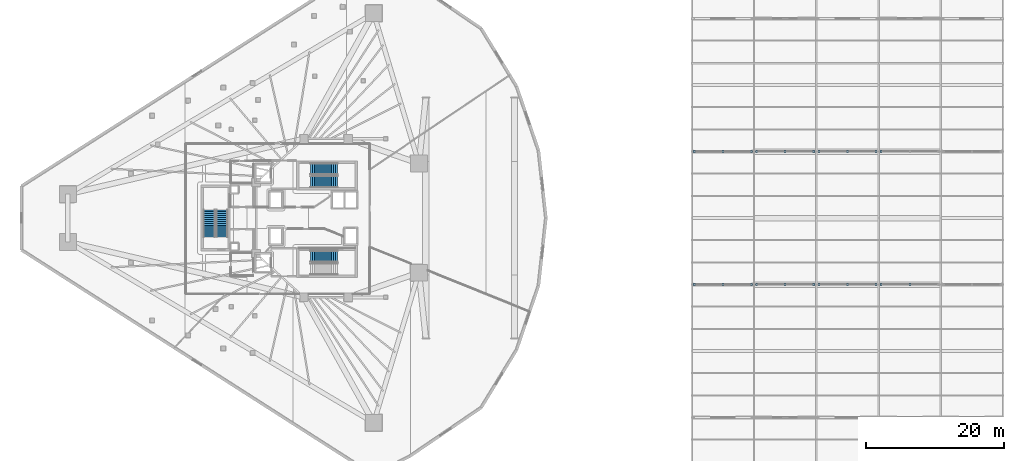
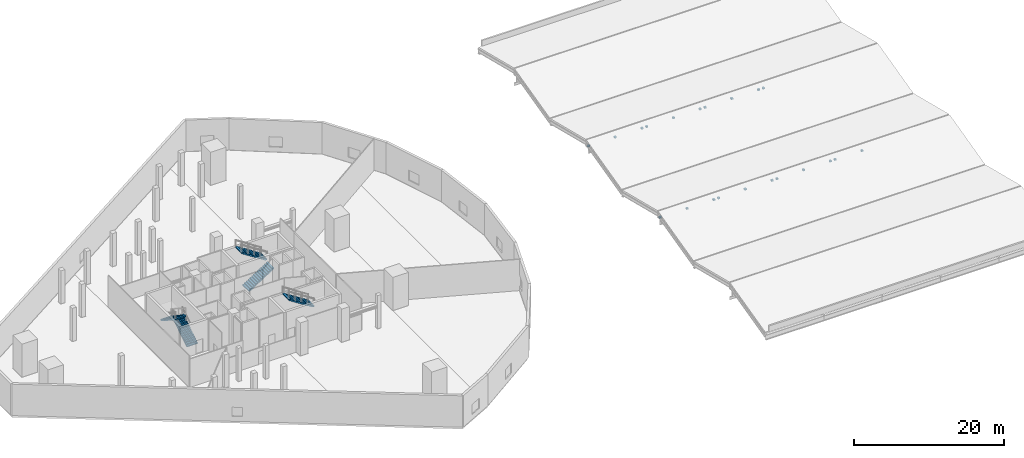
# One storey, part 28 of 36: 21 discrete accessories, 5 stair flights, 3 elements without a shape of their own.
"""IFC4 building model written with IfcOpenShell, lengths in metres."""

import ifcopenshell
import ifcopenshell.guid

model = None  # the IFC model being written
_history = None  # IfcOwnerHistory: only IFC2X3 demands one
_inside = {}  # id of a spatial element -> (the spatial element, [elements in it])
_under = {}  # id of a project, library or spatial element -> (it, [spatial elements below it])
_declared = {}  # id of a project -> (the project, [libraries it declares])
_typed = {}  # id of a type object -> (the type object, [elements of that type])
_made_of = {}  # id of a material, layer set ... -> (it, [elements and type objects made of it])


def new_model(schema):
    """Start an empty IFC model of exactly this schema.

    Asked for "IFC4X3", IfcOpenShell would pick the latest addendum, in which some entities
    have other attributes; the version numbers below select the first issue.
    IFC2X3 requires an IfcOwnerHistory on every rooted entity: one is made here for all.
    """
    global model, _history
    if schema == "IFC4X3":
        model = ifcopenshell.file(schema_version=(4, 3, 0, 0))
    else:
        model = ifcopenshell.file(schema=schema)
    _inside.clear()
    _under.clear()
    _declared.clear()
    _typed.clear()
    _made_of.clear()
    _history = None
    if model.schema == "IFC2X3":
        org = make("IfcOrganization", Name="unknown")
        user = make(
            "IfcPersonAndOrganization",
            ThePerson=make("IfcPerson", FamilyName="unknown"),
            TheOrganization=org,
        )
        app = make(
            "IfcApplication",
            ApplicationDeveloper=org,
            Version="unknown",
            ApplicationFullName="unknown",
            ApplicationIdentifier="unknown",
        )
        _history = make(
            "IfcOwnerHistory",
            OwningUser=user,
            OwningApplication=app,
            ChangeAction="ADDED",
            CreationDate=0,
        )
    return model


def make(cls, **values):
    """One entity of the class cls with the attributes given. An attribute that is None is left unset."""
    return model.create_entity(
        cls, **{name: value for name, value in values.items() if value is not None}
    )


def rooted(cls, **values):
    """An entity with a GlobalId (a new one), such as an element, a storey or a relation."""
    return make(cls, GlobalId=ifcopenshell.guid.new(), OwnerHistory=_history, **values)


def si_unit(unit_type, name, prefix=None):
    """IfcSIUnit, for example si_unit("LENGTHUNIT", "METRE", prefix="MILLI")."""
    return make("IfcSIUnit", UnitType=unit_type, Prefix=prefix, Name=name)


def assignment(units):
    """IfcUnitAssignment: the units of a project."""
    return None if units is None else make("IfcUnitAssignment", Units=units)


def point(xyz):
    """IfcCartesianPoint."""
    return None if xyz is None else make("IfcCartesianPoint", Coordinates=xyz)


def direction(xyz):
    """IfcDirection."""
    return None if xyz is None else make("IfcDirection", DirectionRatios=xyz)


def frame(location, z_axis=None, x_axis=None):
    """IfcAxis2Placement3D, a coordinate frame: its origin and axes. An axis left out is left unset."""
    return make(
        "IfcAxis2Placement3D",
        Location=point(location),
        Axis=direction(z_axis),
        RefDirection=direction(x_axis),
    )


def frame_2d(location, x_axis=None):
    """IfcAxis2Placement2D, a coordinate frame in the plane: its origin and x axis."""
    return make(
        "IfcAxis2Placement2D", Location=point(location), RefDirection=direction(x_axis)
    )


def origin():
    """The frame at (0, 0, 0) with its axes left unset."""
    return frame((0.0, 0.0, 0.0))


def origin_2d():
    """The frame at (0, 0) in the plane with its x axis left unset."""
    return frame_2d((0.0, 0.0))


def place(relative_to, where):
    """IfcLocalPlacement: puts the frame where relative to a parent placement (None: the world)."""
    return make(
        "IfcLocalPlacement", PlacementRelTo=relative_to, RelativePlacement=where
    )


def context(
    kind, dimensions, precision=None, world=None, true_north=None, identifier=None
):
    """IfcGeometricRepresentationContext, for example the 3D "Model" context."""
    return make(
        "IfcGeometricRepresentationContext",
        ContextIdentifier=identifier,
        ContextType=kind,
        CoordinateSpaceDimension=dimensions,
        Precision=precision,
        WorldCoordinateSystem=world,
        TrueNorth=true_north,
    )


def subcontext(parent, identifier, kind, view, scale=None):
    """IfcGeometricRepresentationSubContext, for example "Body" below "Model"."""
    return make(
        "IfcGeometricRepresentationSubContext",
        ContextIdentifier=identifier,
        ContextType=kind,
        ParentContext=parent,
        TargetScale=scale,
        TargetView=view,
    )


def project(units=None, contexts=None):
    """IfcProject with its units and contexts."""
    return rooted(
        "IfcProject",
        Name="project",
        RepresentationContexts=contexts,
        UnitsInContext=assignment(units),
    )


def spatial(cls, under=None, at=None, **own):
    """A site, building, storey or space (cls), placed at a placement, below another one or the project."""
    s = rooted(cls, ObjectPlacement=at, **own)
    if under is not None:
        _under.setdefault(under.id(), (under, []))[1].append(s)
    return s


def polyline(points):
    """IfcPolyline through the points."""
    return make("IfcPolyline", Points=[point(p) for p in points])


def profile(cls, at=None, kind="AREA", **sizes):
    """A parametric profile (cls). Its sizes go by their IFC names, for example OverallWidth=200.0."""
    return make(cls, ProfileType=kind, Position=at, **sizes)


def rectangle(**sizes):
    """IfcRectangleProfileDef."""
    return profile("IfcRectangleProfileDef", **sizes)


def outline(outer, holes=None, kind="AREA"):
    """IfcArbitraryClosedProfileDef: a profile drawn as a closed curve; with holes, ...WithVoids."""
    if holes is None:
        return make("IfcArbitraryClosedProfileDef", ProfileType=kind, OuterCurve=outer)
    return make(
        "IfcArbitraryProfileDefWithVoids",
        ProfileType=kind,
        OuterCurve=outer,
        InnerCurves=holes,
    )


def extrude(swept, where, along, depth):
    """IfcExtrudedAreaSolid: the profile swept, set in the frame where, extruded along a direction by depth."""
    return make(
        "IfcExtrudedAreaSolid",
        SweptArea=swept,
        Position=where,
        ExtrudedDirection=direction(along),
        Depth=depth,
    )


def shape(context_of_items, identifier, shape_type, items):
    """IfcShapeRepresentation: the items that make up one representation, for example the "Body"."""
    return make(
        "IfcShapeRepresentation",
        ContextOfItems=context_of_items,
        RepresentationIdentifier=identifier,
        RepresentationType=shape_type,
        Items=items,
    )


def material(Name=None, Category=None):
    """IfcMaterial."""
    return make("IfcMaterial", Name=Name, Category=Category)


def layer(
    of_material, thickness, ventilated=None, Name=None, Category=None, Priority=None
):
    """IfcMaterialLayer: one layer of a wall or slab, of a material (None: an air gap)."""
    return make(
        "IfcMaterialLayer",
        Material=of_material,
        LayerThickness=thickness,
        IsVentilated=ventilated,
        Name=Name,
        Category=Category,
        Priority=Priority,
    )


def layer_set(layers, Name=None):
    """IfcMaterialLayerSet."""
    return make("IfcMaterialLayerSet", MaterialLayers=layers, LayerSetName=Name)


def made_of(thing, what):
    """Note that an element or type object is made of a material, layer set ...; save() writes the relation."""
    if what is not None:
        _made_of.setdefault(what.id(), (what, []))[1].append(thing)
    return thing


def type_object(cls, material=None, **own):
    """A type object (cls), such as IfcWallType, which elements share."""
    return made_of(rooted(cls, **own), material)


def element(
    cls,
    number,
    at=None,
    inside=None,
    cuts=None,
    type_object=None,
    material=None,
    context=None,
    identifier="Body",
    shape_type=None,
    held_by="IfcProductDefinitionShape",
    body=None,
    shapes=None,
    **own,
):
    """One element of the class cls, such as IfcWall. Its Tag is "e" and its number.

    at: its placement. inside: the storey or other place that contains it. cuts: it is an
    opening in that element (IfcRelVoidsElement). A single representation is given by context,
    identifier, shape_type and body (its items); several are given by shapes. held_by: the class
    of the entity that holds the representations. save() writes the other relations.
    """
    e = rooted(cls, Tag="e%d" % number, ObjectPlacement=at, **own)
    if body is not None:
        shapes = [shape(context, identifier, shape_type, body)]
    if shapes is not None:
        e.Representation = make(held_by, Representations=shapes)
    if inside is not None:
        _inside.setdefault(inside.id(), (inside, []))[1].append(e)
    if cuts is not None:
        rooted(
            "IfcRelVoidsElement", RelatingBuildingElement=cuts, RelatedOpeningElement=e
        )
    if type_object is not None:
        _typed.setdefault(type_object.id(), (type_object, []))[1].append(e)
    return made_of(e, material)


def aggregate(whole, parts):
    """IfcRelAggregates: a whole, such as a stair, and the parts it consists of."""
    return rooted("IfcRelAggregates", RelatingObject=whole, RelatedObjects=parts)


def save(model, path):
    """Write the relations noted so far, then the file.

    IfcRelAggregates (storeys below a building ...), IfcRelContainedInSpatialStructure (elements
    in a storey), IfcRelDefinesByType, IfcRelAssociatesMaterial and IfcRelDeclares: one each for
    every whole, place, type object, material and project.
    """
    for whole, parts in _under.values():
        aggregate(whole, parts)
    for where, things in _inside.values():
        rooted(
            "IfcRelContainedInSpatialStructure",
            RelatedElements=things,
            RelatingStructure=where,
        )
    for kind, things in _typed.values():
        rooted("IfcRelDefinesByType", RelatedObjects=things, RelatingType=kind)
    for what, things in _made_of.values():
        rooted("IfcRelAssociatesMaterial", RelatedObjects=things, RelatingMaterial=what)
    for by, libraries in _declared.values():
        rooted("IfcRelDeclares", RelatingContext=by, RelatedDefinitions=libraries)
    model.write(path)


model = new_model("IFC4")

# Units and contexts
model_context = context("Model", 3, precision=1e-05, world=origin(), true_north=direction((0.0, 1.0)))
body_context = subcontext(model_context, "Body", "Model", "MODEL_VIEW")
ifc_project = project(units=[si_unit("LENGTHUNIT", "METRE"), si_unit("AREAUNIT", "SQUARE_METRE"), si_unit("VOLUMEUNIT", "CUBIC_METRE"), si_unit("PLANEANGLEUNIT", "RADIAN"), si_unit("MASSUNIT", "GRAM", prefix="KILO")], contexts=[model_context])

# Site, building, storey
site_placement = place(None, origin())
site = spatial("IfcSite", under=ifc_project, at=site_placement, CompositionType="ELEMENT")
building_placement = place(site_placement, origin())
building = spatial("IfcBuilding", under=site, at=building_placement, Name="Qorvath Tower", CompositionType="ELEMENT")
storey_placement = place(building_placement, frame((0.0, 0.0, 27.0)))
storey = spatial("IfcBuildingStorey", under=building, at=storey_placement, Name="L05", CompositionType="ELEMENT", Elevation=27.0)

# Stair, stair flights
ifc_material_1 = material(Name="Concrete C50/60", Category="concrete")
stair_type = type_object("IfcStairType", Name="ST-H540", PredefinedType="HALF_TURN_STAIR", material=ifc_material_1)
stair_1_placement = place(storey_placement, origin())
stair_1 = element("IfcStair", 1, at=stair_1_placement, inside=storey, type_object=stair_type, Name="L05 Tower Exit Stair 1", PredefinedType="HALF_TURN_STAIR")
ifc_material_2 = material(Name="Concrete C50/60", Category="concrete")
ifc_layer = layer(ifc_material_2, 0.14990234375)
ifc_layer_set = layer_set([ifc_layer], Name="SF-H540")
stair_flight_type = type_object("IfcStairFlightType", Name="SF-H540", PredefinedType="STRAIGHT", material=ifc_layer_set)
stair_flight_1_placement = place(storey_placement, frame((-22.669921875, 5.239990234375, 0.0), z_axis=(0.0, 0.0, 1.0), x_axis=(1.0, 0.0, 0.0)))
stair_flight_1 = element("IfcStairFlight", 2, at=stair_flight_1_placement, type_object=stair_flight_type, Name="TS1 flight 1", NumberOfRisers=15, NumberOfTreads=14, PredefinedType="STRAIGHT", RiserHeight=0.18, TreadLength=0.28, context=body_context, shape_type="SweptSolid", body=[
    extrude(outline(polyline([(0.0, 0.0), (0.0, 0.179931640625), (0.280029296875, 0.179931640625), (0.280029296875, 0.360107421875), (0.56005859375, 0.360107421875), (0.56005859375, 0.5400390625), (0.840087890625, 0.5400390625), (0.840087890625, 0.719970703125), (1.1201171875, 0.719970703125), (1.1201171875, 0.89990234375), (1.39990234375, 0.89990234375), (1.39990234375, 1.080078125), (1.679931640625, 1.080078125), (1.679931640625, 1.260009765625), (1.9599609375, 1.260009765625), (1.9599609375, 1.43994140625), (2.239990234375, 1.43994140625), (2.239990234375, 1.6201171875), (2.52001953125, 1.6201171875), (2.52001953125, 1.800048828125), (2.800048828125, 1.800048828125), (2.800048828125, 1.97998046875), (3.080078125, 1.97998046875), (3.080078125, 2.159912109375), (3.360107421875, 2.159912109375), (3.360107421875, 2.340087890625), (3.639892578125, 2.340087890625), (3.639892578125, 2.52001953125), (3.919921875, 2.52001953125), (3.919921875, 2.699951171875), (3.919921875, 2.341796875), (0.277099609375, 0.0), (0.0, 0.0)])), frame((0.0, 0.83984375, 0.0), z_axis=(0.0, -1.0, 0.0), x_axis=(1.0, 0.0, 0.0)), (0.0, 0.0, 1.0), 1.679931640625),
])
stair_flight_2_placement = place(storey_placement, frame((-18.75, 7.070068359375, 2.699951171875), z_axis=(0.0, 0.0, 1.0), x_axis=(-1.0, 0.0, 0.0)))
stair_flight_2 = element("IfcStairFlight", 3, at=stair_flight_2_placement, type_object=stair_flight_type, Name="TS1 flight 2", NumberOfRisers=15, NumberOfTreads=14, PredefinedType="STRAIGHT", RiserHeight=0.18, TreadLength=0.28, context=body_context, shape_type="SweptSolid", body=[
    extrude(outline(polyline([(0.0, 0.0), (0.0, 0.179931640625), (0.280029296875, 0.179931640625), (0.280029296875, 0.360107421875), (0.56005859375, 0.360107421875), (0.56005859375, 0.5400390625), (0.840087890625, 0.5400390625), (0.840087890625, 0.719970703125), (1.1201171875, 0.719970703125), (1.1201171875, 0.89990234375), (1.39990234375, 0.89990234375), (1.39990234375, 1.080078125), (1.679931640625, 1.080078125), (1.679931640625, 1.260009765625), (1.9599609375, 1.260009765625), (1.9599609375, 1.43994140625), (2.239990234375, 1.43994140625), (2.239990234375, 1.6201171875), (2.52001953125, 1.6201171875), (2.52001953125, 1.800048828125), (2.800048828125, 1.800048828125), (2.800048828125, 1.97998046875), (3.080078125, 1.97998046875), (3.080078125, 2.159912109375), (3.360107421875, 2.159912109375), (3.360107421875, 2.340087890625), (3.639892578125, 2.340087890625), (3.639892578125, 2.52001953125), (3.919921875, 2.52001953125), (3.919921875, 2.699951171875), (3.919921875, 2.341796875), (0.277099609375, 0.0), (0.0, 0.0)])), frame((0.0, 0.83984375, 0.0), z_axis=(0.0, -1.0, 0.0), x_axis=(1.0, 0.0, 0.0)), (0.0, 0.0, 1.0), 1.679931640625),
])
aggregate(stair_1, [stair_flight_1, stair_flight_2])

# Stair, stair flight
stair_2_placement = place(storey_placement, origin())
stair_2 = element("IfcStair", 4, at=stair_2_placement, inside=storey, type_object=stair_type, Name="L05 Tower Exit Stair 2", PredefinedType="HALF_TURN_STAIR")
stair_flight_3_placement = place(storey_placement, frame((-18.75, -5.530029296875, 2.699951171875), z_axis=(0.0, 0.0, 1.0), x_axis=(-1.0, 0.0, 0.0)))
stair_flight_3 = element("IfcStairFlight", 5, at=stair_flight_3_placement, type_object=stair_flight_type, Name="TS2 flight 2", NumberOfRisers=15, NumberOfTreads=14, PredefinedType="STRAIGHT", RiserHeight=0.18, TreadLength=0.28, context=body_context, shape_type="SweptSolid", body=[
    extrude(outline(polyline([(0.0, 0.0), (0.0, 0.179931640625), (0.280029296875, 0.179931640625), (0.280029296875, 0.360107421875), (0.56005859375, 0.360107421875), (0.56005859375, 0.5400390625), (0.840087890625, 0.5400390625), (0.840087890625, 0.719970703125), (1.1201171875, 0.719970703125), (1.1201171875, 0.89990234375), (1.39990234375, 0.89990234375), (1.39990234375, 1.080078125), (1.679931640625, 1.080078125), (1.679931640625, 1.260009765625), (1.9599609375, 1.260009765625), (1.9599609375, 1.43994140625), (2.239990234375, 1.43994140625), (2.239990234375, 1.6201171875), (2.52001953125, 1.6201171875), (2.52001953125, 1.800048828125), (2.800048828125, 1.800048828125), (2.800048828125, 1.97998046875), (3.080078125, 1.97998046875), (3.080078125, 2.159912109375), (3.360107421875, 2.159912109375), (3.360107421875, 2.340087890625), (3.639892578125, 2.340087890625), (3.639892578125, 2.52001953125), (3.919921875, 2.52001953125), (3.919921875, 2.699951171875), (3.919921875, 2.341796875), (0.277099609375, 0.0), (0.0, 0.0)])), frame((0.0, 0.83984375, 0.0), z_axis=(0.0, -1.0, 0.0), x_axis=(1.0, 0.0, 0.0)), (0.0, 0.0, 1.0), 1.679931640625),
])
aggregate(stair_2, [stair_flight_3])

# Stair, stair flights
stair_3_placement = place(storey_placement, origin())
stair_3 = element("IfcStair", 6, at=stair_3_placement, inside=storey, type_object=stair_type, Name="L05 Tower Exit Stair 3", PredefinedType="HALF_TURN_STAIR")
stair_flight_4_placement = place(storey_placement, frame((-35.43994140625, -2.719970703125, 0.0), z_axis=(0.0, 0.0, 1.0), x_axis=(0.0, 1.0, 0.0)))
stair_flight_4 = element("IfcStairFlight", 7, at=stair_flight_4_placement, type_object=stair_flight_type, Name="TS3 flight 1", NumberOfRisers=15, NumberOfTreads=14, PredefinedType="STRAIGHT", RiserHeight=0.18, TreadLength=0.28, context=body_context, shape_type="SweptSolid", body=[
    extrude(outline(polyline([(0.0, 0.0), (0.0, 0.179931640625), (0.280029296875, 0.179931640625), (0.280029296875, 0.360107421875), (0.56005859375, 0.360107421875), (0.56005859375, 0.5400390625), (0.840087890625, 0.5400390625), (0.840087890625, 0.719970703125), (1.1201171875, 0.719970703125), (1.1201171875, 0.89990234375), (1.39990234375, 0.89990234375), (1.39990234375, 1.080078125), (1.679931640625, 1.080078125), (1.679931640625, 1.260009765625), (1.9599609375, 1.260009765625), (1.9599609375, 1.43994140625), (2.239990234375, 1.43994140625), (2.239990234375, 1.6201171875), (2.52001953125, 1.6201171875), (2.52001953125, 1.800048828125), (2.800048828125, 1.800048828125), (2.800048828125, 1.97998046875), (3.080078125, 1.97998046875), (3.080078125, 2.159912109375), (3.360107421875, 2.159912109375), (3.360107421875, 2.340087890625), (3.639892578125, 2.340087890625), (3.639892578125, 2.52001953125), (3.919921875, 2.52001953125), (3.919921875, 2.699951171875), (3.919921875, 2.341796875), (0.277099609375, 0.0), (0.0, 0.0)])), frame((0.0, 0.83984375, 0.0), z_axis=(0.0, -1.0, 0.0), x_axis=(1.0, 0.0, 0.0)), (0.0, 0.0, 1.0), 1.679931640625),
])
stair_flight_5_placement = place(storey_placement, frame((-37.27001953125, 1.199951171875, 2.699951171875), z_axis=(0.0, 0.0, 1.0), x_axis=(0.0, -1.0, 0.0)))
stair_flight_5 = element("IfcStairFlight", 8, at=stair_flight_5_placement, type_object=stair_flight_type, Name="TS3 flight 2", NumberOfRisers=15, NumberOfTreads=14, PredefinedType="STRAIGHT", RiserHeight=0.18, TreadLength=0.28, context=body_context, shape_type="SweptSolid", body=[
    extrude(outline(polyline([(0.0, 0.0), (0.0, 0.179931640625), (0.280029296875, 0.179931640625), (0.280029296875, 0.360107421875), (0.56005859375, 0.360107421875), (0.56005859375, 0.5400390625), (0.840087890625, 0.5400390625), (0.840087890625, 0.719970703125), (1.1201171875, 0.719970703125), (1.1201171875, 0.89990234375), (1.39990234375, 0.89990234375), (1.39990234375, 1.080078125), (1.679931640625, 1.080078125), (1.679931640625, 1.260009765625), (1.9599609375, 1.260009765625), (1.9599609375, 1.43994140625), (2.239990234375, 1.43994140625), (2.239990234375, 1.6201171875), (2.52001953125, 1.6201171875), (2.52001953125, 1.800048828125), (2.800048828125, 1.800048828125), (2.800048828125, 1.97998046875), (3.080078125, 1.97998046875), (3.080078125, 2.159912109375), (3.360107421875, 2.159912109375), (3.360107421875, 2.340087890625), (3.639892578125, 2.340087890625), (3.639892578125, 2.52001953125), (3.919921875, 2.52001953125), (3.919921875, 2.699951171875), (3.919921875, 2.341796875), (0.277099609375, 0.0), (0.0, 0.0)])), frame((0.0, 0.83984375, 0.0), z_axis=(0.0, -1.0, 0.0), x_axis=(1.0, 0.0, 0.0)), (0.0, 0.0, 1.0), 1.679931640625),
])
aggregate(stair_3, [stair_flight_4, stair_flight_5])

# Discrete accessories
ifc_material_3 = material(Name="Galvanised steel bracket", Category="steel")
discrete_accessory_type = type_object("IfcDiscreteAccessoryType", Name="DA-BRACKET", PredefinedType="BRACKET", material=ifc_material_3)
for number, where, z_axis, x_axis, name in (
    (9, (32.77001953125, -9.60009765625, 1.10009765625), (0.0, 0.0, 1.0), (1.0, 0.0, 0.0), "Clerestory Mullion Head Bracket 2-1.1"),
    (10, (36.89990234375, -9.60009765625, 1.10009765625), (0.0, 0.0, 1.0), (1.0, 0.0, 0.0), "Clerestory Mullion Head Bracket 2-1.2"),
    (11, (41.030029296875, -9.60009765625, 1.10009765625), (0.0, 0.0, 1.0), (1.0, 0.0, 0.0), "Clerestory Mullion Head Bracket 2-1.3"),
    (12, (41.77001953125, -9.60009765625, 1.10009765625), (0.0, 0.0, 1.0), (1.0, 0.0, 0.0), "Clerestory Mullion Head Bracket 2-2.1"),
    (13, (45.89990234375, -9.60009765625, 1.10009765625), (0.0, 0.0, 1.0), (1.0, 0.0, 0.0), "Clerestory Mullion Head Bracket 2-2.2"),
    (14, (50.030029296875, -9.60009765625, 1.10009765625), (0.0, 0.0, 1.0), (1.0, 0.0, 0.0), "Clerestory Mullion Head Bracket 2-2.3"),
    (15, (50.77001953125, -9.60009765625, 1.10009765625), (0.0, 0.0, 1.0), (1.0, 0.0, 0.0), "Clerestory Mullion Head Bracket 2-3.1"),
    (16, (54.89990234375, -9.60009765625, 1.10009765625), (0.0, 0.0, 1.0), (1.0, 0.0, 0.0), "Clerestory Mullion Head Bracket 2-3.2"),
    (17, (59.030029296875, -9.60009765625, 1.10009765625), (0.0, 0.0, 1.0), (1.0, 0.0, 0.0), "Clerestory Mullion Head Bracket 2-3.3"),
    (18, (59.77001953125, -9.60009765625, 1.10009765625), (0.0, 0.0, 1.0), (1.0, 0.0, 0.0), "Clerestory Mullion Head Bracket 2-4.1"),
    (19, (63.89990234375, -9.60009765625, 1.10009765625), (0.0, 0.0, 1.0), (1.0, 0.0, 0.0), "Clerestory Mullion Head Bracket 2-4.2"),
    (20, (32.77001953125, 9.60009765625, 1.10009765625), (0.0, 0.0, 1.0), (1.0, 0.0, 0.0), "Clerestory Mullion Head Bracket 3-1.1"),
    (21, (36.89990234375, 9.60009765625, 1.10009765625), (0.0, 0.0, 1.0), (1.0, 0.0, 0.0), "Clerestory Mullion Head Bracket 3-1.2"),
    (22, (41.030029296875, 9.60009765625, 1.10009765625), (0.0, 0.0, 1.0), (1.0, 0.0, 0.0), "Clerestory Mullion Head Bracket 3-1.3"),
    (23, (41.77001953125, 9.60009765625, 1.10009765625), (0.0, 0.0, 1.0), (1.0, 0.0, 0.0), "Clerestory Mullion Head Bracket 3-2.1"),
    (24, (45.89990234375, 9.60009765625, 1.10009765625), (0.0, 0.0, 1.0), (1.0, 0.0, 0.0), "Clerestory Mullion Head Bracket 3-2.2"),
    (25, (50.030029296875, 9.60009765625, 1.10009765625), (0.0, 0.0, 1.0), (1.0, 0.0, 0.0), "Clerestory Mullion Head Bracket 3-2.3"),
    (26, (50.77001953125, 9.60009765625, 1.10009765625), (0.0, 0.0, 1.0), (1.0, 0.0, 0.0), "Clerestory Mullion Head Bracket 3-3.1"),
    (27, (54.89990234375, 9.60009765625, 1.10009765625), (0.0, 0.0, 1.0), (1.0, 0.0, 0.0), "Clerestory Mullion Head Bracket 3-3.2"),
    (28, (59.030029296875, 9.60009765625, 1.10009765625), (0.0, 0.0, 1.0), (1.0, 0.0, 0.0), "Clerestory Mullion Head Bracket 3-3.3"),
    (29, (59.77001953125, 9.60009765625, 1.10009765625), (0.0, 0.0, 1.0), (1.0, 0.0, 0.0), "Clerestory Mullion Head Bracket 3-4.1"),
):
    element("IfcDiscreteAccessory", number, at=place(storey_placement, frame(where, z_axis=z_axis, x_axis=x_axis)), inside=storey, type_object=discrete_accessory_type, Name=name, PredefinedType="NOTDEFINED", context=body_context, shape_type="SweptSolid", body=[
        extrude(rectangle(XDim=0.300048828125, YDim=0.300048828125, at=origin_2d()), origin(), (0.0, 0.0, 1.0), 0.239990234375),
    ])

save(model, "model.ifc")
